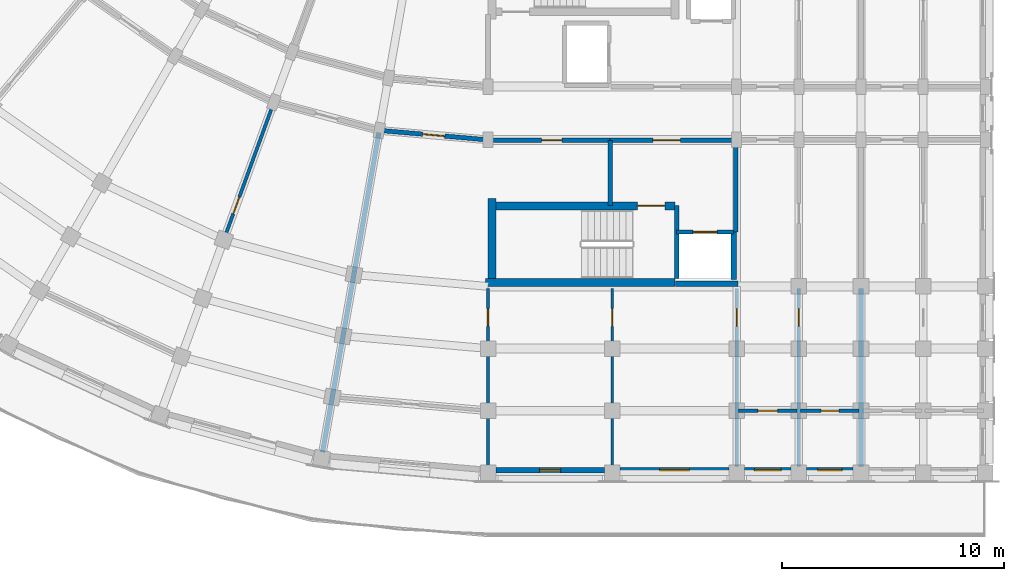
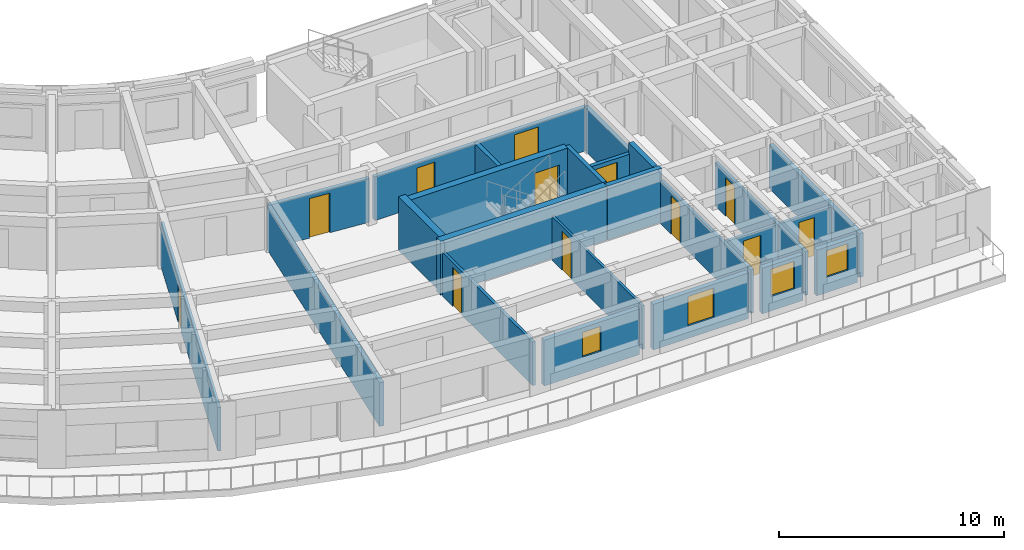
# One storey, part 18 of 57: 25 walls, 12 doors, 4 windows, 16 openings.
"""IFC4 building model written with IfcOpenShell, lengths in metres."""

from ifc_helpers import new_model, si_unit, direction, frame, frame_2d, origin, place, context, subcontext, project, spatial, rectangle, extrude, material, layer, layer_set, type_object, element, fill, save


model = new_model("IFC4")

# Units and contexts
model_context = context("Model", 3, precision=1e-05, world=origin(), true_north=direction((0.0, 1.0)))
body_context = subcontext(model_context, "Body", "Model", "MODEL_VIEW")
ifc_project = project(units=[si_unit("LENGTHUNIT", "METRE"), si_unit("AREAUNIT", "SQUARE_METRE"), si_unit("VOLUMEUNIT", "CUBIC_METRE"), si_unit("PLANEANGLEUNIT", "RADIAN"), si_unit("MASSUNIT", "GRAM", prefix="KILO")], contexts=[model_context])

# Site, building, storey
site_placement = place(None, origin())
site = spatial("IfcSite", under=ifc_project, at=site_placement, CompositionType="ELEMENT")
building_placement = place(site_placement, origin())
building = spatial("IfcBuilding", under=site, at=building_placement, Name="Kiranvali Square Residences", CompositionType="ELEMENT")
storey_placement = place(building_placement, frame((0.0, 0.0, 21.300048828125)))
storey = spatial("IfcBuildingStorey", under=building, at=storey_placement, Name="L06", CompositionType="ELEMENT", Elevation=21.300048828125)

# Wall, opening, door
ifc_material_1 = material(Name="Autoclaved aerated concrete blockwork masonry", Category="masonry")
ifc_layer_1 = layer(ifc_material_1, 0.199951171875)
ifc_layer_set_1 = layer_set([ifc_layer_1], Name="Autoclaved aerated concrete blockwork masonry")
wall_type_1 = type_object("IfcWallType", Name="WL-COR-200", PredefinedType="STANDARD", material=ifc_layer_set_1)
wall_1_placement = place(storey_placement, frame((48.199951171875, 20.0, 0.0), z_axis=(0.0, 0.0, 1.0), x_axis=(-0.996193663584, 0.087167566415, 0.0)))
wall_1 = element("IfcWall", 1, at=wall_1_placement, inside=storey, type_object=wall_type_1, Name="L06 architectural wall WL-L06-C-CCO-0", PredefinedType="STANDARD", context=body_context, shape_type="SweptSolid", body=[
    extrude(rectangle(XDim=4.91552734375, YDim=0.199951171875, at=frame_2d((2.457763671875, 0.0))), origin(), (0.0, 0.0, 1.0), 2.3720703125),
])
opening_1_placement = place(wall_1_placement, frame((1.957763671875, 0.0, 0.0)))
opening_1 = element("IfcOpeningElement", 2, at=opening_1_placement, cuts=wall_1, Name="Opening FD-APT-60", PredefinedType="OPENING", context=body_context, shape_type="SweptSolid", body=[
    extrude(rectangle(XDim=1.0, YDim=2.14990234375, at=frame_2d((0.5, 1.074951171875))), frame((0.0, 0.10986328125, 0.0), z_axis=(0.0, -1.0, 0.0), x_axis=(1.0, 0.0, 0.0)), (0.0, 0.0, 1.0), 0.219970703125),
])
ifc_material_2 = material(Name="Fire-rated acoustic hardwood and mineral-core door assembly", Category="wood")
door_type_1 = type_object("IfcDoorType", Name="DR-APT-1000", OperationType="NOTDEFINED", PredefinedType="DOOR", material=ifc_material_2)
door_1_placement = place(opening_1_placement, frame((1.0, 0.0, 0.0), z_axis=(0.0, 0.0, 1.0), x_axis=(-1.0, 0.0, 0.0)))
door_1 = element("IfcDoor", 3, at=door_1_placement, inside=storey, type_object=door_type_1, Name="L06 door DR-L06-2116 (DR-APT-1000)", OperationType="SINGLE_SWING_RIGHT", OverallHeight=2.14990234375, OverallWidth=1.0, PredefinedType="DOOR", context=body_context, shape_type="SweptSolid", body=[
    extrude(rectangle(XDim=1.0, YDim=2.14990234375, at=frame_2d((0.5, 1.074951171875))), frame((0.0, 0.02490234375, 0.0), z_axis=(0.0, -1.0, 0.0), x_axis=(1.0, 0.0, 0.0)), (0.0, 0.0, 1.0), 0.050048828125),
])
fill(opening_1, door_1)

# Walls
ifc_layer_2 = layer(ifc_material_1, 0.219970703125)
ifc_layer_set_2 = layer_set([ifc_layer_2], Name="Autoclaved aerated concrete blockwork masonry")
wall_type_2 = type_object("IfcWallType", Name="WL-DEM-220", PredefinedType="STANDARD", material=ifc_layer_set_2)
wall_2_placement = place(storey_placement, frame((65.0, 13.300048828125, 0.0), z_axis=(0.0, 0.0, 1.0), x_axis=(0.0, -1.0, 0.0)))
element("IfcWall", 4, at=wall_2_placement, inside=storey, type_object=wall_type_2, Name="L06 architectural wall WL-L06-C-A1TO2-2", PredefinedType="STANDARD", context=body_context, shape_type="SweptSolid", body=[
    extrude(rectangle(XDim=8.02001953125, YDim=0.219970703125, at=frame_2d((4.010009765625, 0.0))), origin(), (0.0, 0.0, 1.0), 2.3720703125),
])
wall_3_placement = place(storey_placement, frame((43.28564453125, 20.329833984375, 0.0), z_axis=(0.0, 0.0, 1.0), x_axis=(-0.173639577162, -0.984809269474, 0.0)))
element("IfcWall", 5, at=wall_3_placement, inside=storey, type_object=wall_type_2, Name="L06 architectural wall WL-L06-C-RADO-1", PredefinedType="STANDARD", context=body_context, shape_type="SweptSolid", body=[
    extrude(rectangle(XDim=14.619873046875, YDim=0.219970703125, at=frame_2d((7.31005859375, 0.0))), origin(), (0.0, 0.0, 1.0), 2.3720703125),
])

# Wall, opening, window
ifc_material_3 = material(Name="Breathable lime-rendered clay brick masonry", Category="masonry")
ifc_layer_3 = layer(ifc_material_3, 0.25)
ifc_layer_set_3 = layer_set([ifc_layer_3], Name="Breathable lime-rendered clay brick masonry")
wall_type_3 = type_object("IfcWallType", Name="WL-EXT-250", PredefinedType="STANDARD", material=ifc_layer_set_3)
wall_4_placement = place(storey_placement, frame((48.553466796875, 5.125, 0.0), z_axis=(0.0, 0.0, 1.0), x_axis=(1.0, 0.0, 0.0)))
wall_4 = element("IfcWall", 6, at=wall_4_placement, inside=storey, type_object=wall_type_3, Name="L06 exterior wall C-L06-A1O-0", PredefinedType="STANDARD", context=body_context, shape_type="SweptSolid", body=[
    extrude(rectangle(XDim=4.89306640625, YDim=0.25, at=frame_2d((2.446533203125, 0.0))), origin(), (0.0, 0.0, 1.0), 2.47998046875),
])
opening_2_placement = place(wall_4_placement, frame((1.971435546875, 0.0, 0.8798828125)))
opening_2 = element("IfcOpeningElement", 7, at=opening_2_placement, cuts=wall_4, Name="Opening W-16", PredefinedType="OPENING", context=body_context, shape_type="SweptSolid", body=[
    extrude(rectangle(XDim=0.949951171875, YDim=1.35009765625, at=frame_2d((0.47509765625, 0.675048828125))), frame((0.0, 0.135009765625, 0.0), z_axis=(0.0, -1.0, 0.0), x_axis=(1.0, 0.0, 0.0)), (0.0, 0.0, 1.0), 0.27001953125),
])
ifc_material_4 = material(Name="Solar-control low-e double glazing", Category="glass")
window_type_1 = type_object("IfcWindowType", Name="WIN-RES-950x1350", PartitioningType="SINGLE_PANEL", PredefinedType="WINDOW", material=ifc_material_4)
window_1_placement = place(opening_2_placement, origin())
window_1 = element("IfcWindow", 8, at=window_1_placement, inside=storey, type_object=window_type_1, Name="L06 recessed window C-L06-A1O-0", OverallHeight=1.35009765625, OverallWidth=0.949951171875, PartitioningType="SINGLE_PANEL", PredefinedType="WINDOW", context=body_context, shape_type="SweptSolid", body=[
    extrude(rectangle(XDim=0.949951171875, YDim=1.35009765625, at=frame_2d((0.47509765625, 0.675048828125))), frame((0.0, 0.030029296875, 0.0), z_axis=(0.0, -1.0, 0.0), x_axis=(1.0, 0.0, 0.0)), (0.0, 0.0, 1.0), 0.06005859375),
])
fill(opening_2, window_1)

wall_5_placement = place(storey_placement, frame((54.153564453125, 5.125, 0.0), z_axis=(0.0, 0.0, 1.0), x_axis=(1.0, 0.0, 0.0)))
wall_5 = element("IfcWall", 9, at=wall_5_placement, inside=storey, type_object=wall_type_3, Name="L06 exterior wall C-L06-A1O-1", PredefinedType="STANDARD", context=body_context, shape_type="SweptSolid", body=[
    extrude(rectangle(XDim=4.892822265625, YDim=0.25, at=frame_2d((2.4462890625, 0.0))), origin(), (0.0, 0.0, 1.0), 2.47998046875),
])
opening_3_placement = place(wall_5_placement, frame((1.771484375, 0.0, 0.679931640625)))
opening_3 = element("IfcOpeningElement", 10, at=opening_3_placement, cuts=wall_5, Name="Opening W-14", PredefinedType="OPENING", context=body_context, shape_type="SweptSolid", body=[
    extrude(rectangle(XDim=1.35009765625, YDim=1.60009765625, at=frame_2d((0.675048828125, 0.800048828125))), frame((0.0, 0.135009765625, 0.0), z_axis=(0.0, -1.0, 0.0), x_axis=(1.0, 0.0, 0.0)), (0.0, 0.0, 1.0), 0.27001953125),
])
window_type_2 = type_object("IfcWindowType", Name="WIN-RES-1350x1600", PartitioningType="DOUBLE_PANEL_VERTICAL", PredefinedType="WINDOW", material=ifc_material_4)
window_2_placement = place(opening_3_placement, origin())
window_2 = element("IfcWindow", 11, at=window_2_placement, inside=storey, type_object=window_type_2, Name="L06 recessed window C-L06-A1O-1", OverallHeight=1.60009765625, OverallWidth=1.35009765625, PartitioningType="DOUBLE_PANEL_VERTICAL", PredefinedType="WINDOW", context=body_context, shape_type="SweptSolid", body=[
    extrude(rectangle(XDim=1.35009765625, YDim=1.60009765625, at=frame_2d((0.675048828125, 0.800048828125))), frame((0.0, 0.030029296875, 0.0), z_axis=(0.0, -1.0, 0.0), x_axis=(1.0, 0.0, 0.0)), (0.0, 0.0, 1.0), 0.06005859375),
])
fill(opening_3, window_2)

wall_6_placement = place(storey_placement, frame((59.75341796875, 5.125, 0.0), z_axis=(0.0, 0.0, 1.0), x_axis=(1.0, 0.0, 0.0)))
wall_6 = element("IfcWall", 12, at=wall_6_placement, inside=storey, type_object=wall_type_3, Name="L06 exterior wall C-L06-A1O-2", PredefinedType="STANDARD", context=body_context, shape_type="SweptSolid", body=[
    extrude(rectangle(XDim=2.093017578125, YDim=0.25, at=frame_2d((1.04638671875, 0.0))), origin(), (0.0, 0.0, 1.0), 2.47998046875),
])
opening_4_placement = place(wall_6_placement, frame((0.446533203125, 0.0, 0.780029296875)))
opening_4 = element("IfcOpeningElement", 13, at=opening_4_placement, cuts=wall_6, Name="Opening W-06", PredefinedType="OPENING", context=body_context, shape_type="SweptSolid", body=[
    extrude(rectangle(XDim=1.199951171875, YDim=1.5, at=frame_2d((0.60009765625, 0.75))), frame((0.0, 0.135009765625, 0.0), z_axis=(0.0, -1.0, 0.0), x_axis=(1.0, 0.0, 0.0)), (0.0, 0.0, 1.0), 0.27001953125),
])
window_type_3 = type_object("IfcWindowType", Name="WIN-RES-1200x1500", PartitioningType="SINGLE_PANEL", PredefinedType="WINDOW", material=ifc_material_4)
window_3_placement = place(opening_4_placement, origin())
window_3 = element("IfcWindow", 14, at=window_3_placement, inside=storey, type_object=window_type_3, Name="L06 recessed window C-L06-A1O-2", OverallHeight=1.5, OverallWidth=1.199951171875, PartitioningType="SINGLE_PANEL", PredefinedType="WINDOW", context=body_context, shape_type="SweptSolid", body=[
    extrude(rectangle(XDim=1.199951171875, YDim=1.5, at=frame_2d((0.60009765625, 0.75))), frame((0.0, 0.030029296875, 0.0), z_axis=(0.0, -1.0, 0.0), x_axis=(1.0, 0.0, 0.0)), (0.0, 0.0, 1.0), 0.06005859375),
])
fill(opening_4, window_3)

wall_7_placement = place(storey_placement, frame((62.553466796875, 5.125, 0.0), z_axis=(0.0, 0.0, 1.0), x_axis=(1.0, 0.0, 0.0)))
wall_7 = element("IfcWall", 15, at=wall_7_placement, inside=storey, type_object=wall_type_3, Name="L06 exterior wall C-L06-A1O-3", PredefinedType="STANDARD", context=body_context, shape_type="SweptSolid", body=[
    extrude(rectangle(XDim=2.093017578125, YDim=0.25, at=frame_2d((1.04638671875, 0.0))), origin(), (0.0, 0.0, 1.0), 2.47998046875),
])
opening_5_placement = place(wall_7_placement, frame((0.49658203125, 0.0, 0.830078125)))
opening_5 = element("IfcOpeningElement", 16, at=opening_5_placement, cuts=wall_7, Name="Opening W-15", PredefinedType="OPENING", context=body_context, shape_type="SweptSolid", body=[
    extrude(rectangle(XDim=1.10009765625, YDim=1.449951171875, at=frame_2d((0.550048828125, 0.72509765625))), frame((0.0, 0.135009765625, 0.0), z_axis=(0.0, -1.0, 0.0), x_axis=(1.0, 0.0, 0.0)), (0.0, 0.0, 1.0), 0.27001953125),
])
window_type_4 = type_object("IfcWindowType", Name="WIN-RES-1100x1450", PartitioningType="SINGLE_PANEL", PredefinedType="WINDOW", material=ifc_material_4)
window_4_placement = place(opening_5_placement, origin())
window_4 = element("IfcWindow", 17, at=window_4_placement, inside=storey, type_object=window_type_4, Name="L06 recessed window C-L06-A1O-3", OverallHeight=1.449951171875, OverallWidth=1.10009765625, PartitioningType="SINGLE_PANEL", PredefinedType="WINDOW", context=body_context, shape_type="SweptSolid", body=[
    extrude(rectangle(XDim=1.10009765625, YDim=1.449951171875, at=frame_2d((0.550048828125, 0.72509765625))), frame((0.0, 0.030029296875, 0.0), z_axis=(0.0, -1.0, 0.0), x_axis=(1.0, 0.0, 0.0)), (0.0, 0.0, 1.0), 0.06005859375),
])
fill(opening_5, window_4)

# Wall, opening, door
ifc_layer_4 = layer(ifc_material_1, 0.199951171875)
ifc_layer_set_4 = layer_set([ifc_layer_4], Name="Autoclaved aerated concrete blockwork masonry")
wall_type_4 = type_object("IfcWallType", Name="WL-FFL-200", PredefinedType="STANDARD", material=ifc_layer_set_4)
wall_8_placement = place(storey_placement, frame((53.699951171875, 19.97998046875, 0.0), z_axis=(0.0, 0.0, 1.0), x_axis=(1.0, 0.0, 0.0)))
wall_8 = element("IfcWall", 18, at=wall_8_placement, inside=storey, type_object=wall_type_4, Name="L06 architectural wall WL-L06-C-FF-COR", PredefinedType="STANDARD", context=body_context, shape_type="SweptSolid", body=[
    extrude(rectangle(XDim=5.650146484375, YDim=0.199951171875, at=frame_2d((2.8251953125, 0.0))), origin(), (0.0, 0.0, 1.0), 2.3720703125),
])
opening_6_placement = place(wall_8_placement, frame((1.922607421875, 0.0, 0.0)))
opening_6 = element("IfcOpeningElement", 19, at=opening_6_placement, cuts=wall_8, Name="Opening FD-ST-120", PredefinedType="OPENING", context=body_context, shape_type="SweptSolid", body=[
    extrude(rectangle(XDim=1.239990234375, YDim=2.14990234375, at=frame_2d((0.6201171875, 1.074951171875))), frame((0.0, 0.10986328125, 0.0), z_axis=(0.0, -1.0, 0.0), x_axis=(1.0, 0.0, 0.0)), (0.0, 0.0, 1.0), 0.219970703125),
])
door_type_2 = type_object("IfcDoorType", Name="DR-FD120-1200", OperationType="NOTDEFINED", PredefinedType="DOOR", material=ifc_material_2)
door_2_placement = place(opening_6_placement, frame((1.239990234375, 0.0, 0.0), z_axis=(0.0, 0.0, 1.0), x_axis=(-1.0, 0.0, 0.0)))
door_2 = element("IfcDoor", 20, at=door_2_placement, inside=storey, type_object=door_type_2, Name="L06 door DR-L06-2084 (DR-FD120-1200)", OperationType="SINGLE_SWING_RIGHT", OverallHeight=2.14990234375, OverallWidth=1.239990234375, PredefinedType="DOOR", context=body_context, shape_type="SweptSolid", body=[
    extrude(rectangle(XDim=1.239990234375, YDim=2.14990234375, at=frame_2d((0.6201171875, 1.074951171875))), frame((0.0, 0.02490234375, 0.0), z_axis=(0.0, -1.0, 0.0), x_axis=(1.0, 0.0, 0.0)), (0.0, 0.0, 1.0), 0.050048828125),
])
fill(opening_6, door_2)

# Walls
wall_9_placement = place(storey_placement, frame((53.699951171875, 19.97998046875, 0.0), z_axis=(0.0, 0.0, 1.0), x_axis=(0.0, -1.0, 0.0)))
element("IfcWall", 21, at=wall_9_placement, inside=storey, type_object=wall_type_4, Name="L06 architectural wall WL-L06-C-FF-DIV", PredefinedType="STANDARD", context=body_context, shape_type="SweptSolid", body=[
    extrude(rectangle(XDim=2.929931640625, YDim=0.199951171875, at=frame_2d((1.46484375, 0.0))), origin(), (0.0, 0.0, 1.0), 2.3720703125),
])
wall_10_placement = place(storey_placement, frame((59.35009765625, 19.97998046875, 0.0), z_axis=(0.0, 0.0, 1.0), x_axis=(0.0, -1.0, 0.0)))
element("IfcWall", 22, at=wall_10_placement, inside=storey, type_object=wall_type_4, Name="L06 architectural wall WL-L06-C-FF-END", PredefinedType="STANDARD", context=body_context, shape_type="SweptSolid", body=[
    extrude(rectangle(XDim=4.1298828125, YDim=0.199951171875, at=frame_2d((2.06494140625, 0.0))), origin(), (0.0, 0.0, 1.0), 2.3720703125),
])

# Wall, opening, door
wall_11_placement = place(storey_placement, frame((56.699951171875, 15.85009765625, 0.0), z_axis=(0.0, 0.0, 1.0), x_axis=(1.0, 0.0, 0.0)))
wall_11 = element("IfcWall", 23, at=wall_11_placement, inside=storey, type_object=wall_type_4, Name="L06 architectural wall WL-L06-C-FF-LFT", PredefinedType="STANDARD", context=body_context, shape_type="SweptSolid", body=[
    extrude(rectangle(XDim=2.550048828125, YDim=0.199951171875, at=frame_2d((1.27490234375, 0.0))), origin(), (0.0, 0.0, 1.0), 2.3720703125),
])
opening_7_placement = place(wall_11_placement, frame((0.72509765625, 0.0, 0.0)))
opening_7 = element("IfcOpeningElement", 24, at=opening_7_placement, cuts=wall_11, Name="Opening LD-FF-110", PredefinedType="OPENING", context=body_context, shape_type="SweptSolid", body=[
    extrude(rectangle(XDim=1.10009765625, YDim=2.14990234375, at=frame_2d((0.550048828125, 1.074951171875))), frame((0.0, 0.10986328125, 0.0), z_axis=(0.0, -1.0, 0.0), x_axis=(1.0, 0.0, 0.0)), (0.0, 0.0, 1.0), 0.219970703125),
])
door_type_3 = type_object("IfcDoorType", Name="DR-LIFT-FF-1100", OperationType="SLIDING_TO_LEFT", PredefinedType="DOOR", material=ifc_material_2)
door_3_placement = place(opening_7_placement, origin())
door_3 = element("IfcDoor", 25, at=door_3_placement, inside=storey, type_object=door_type_3, Name="L06 door DR-L06-2086 (DR-LIFT-FF-1100)", OperationType="SLIDING_TO_LEFT", OverallHeight=2.14990234375, OverallWidth=1.10009765625, PredefinedType="DOOR", context=body_context, shape_type="SweptSolid", body=[
    extrude(rectangle(XDim=1.10009765625, YDim=2.14990234375, at=frame_2d((0.550048828125, 1.074951171875))), frame((0.0, 0.02490234375, 0.0), z_axis=(0.0, -1.0, 0.0), x_axis=(1.0, 0.0, 0.0)), (0.0, 0.0, 1.0), 0.050048828125),
])
fill(opening_7, door_3)

ifc_material_5 = material(Name="Acoustic gypsum board drylined partition", Category="gypsum")
ifc_layer_5 = layer(ifc_material_5, 0.125)
ifc_layer_set_5 = layer_set([ifc_layer_5], Name="Acoustic gypsum board drylined partition")
wall_type_5 = type_object("IfcWallType", Name="WL-PRT-125", PredefinedType="PARTITIONING", material=ifc_layer_set_5)
wall_12_placement = place(storey_placement, frame((53.800048828125, 13.300048828125, 0.0), z_axis=(0.0, 0.0, 1.0), x_axis=(0.0, -1.0, 0.0)))
wall_12 = element("IfcWall", 26, at=wall_12_placement, inside=storey, type_object=wall_type_5, Name="L06 architectural wall WL-L06-C-CF-MID", PredefinedType="PARTITIONING", context=body_context, shape_type="SweptSolid", body=[
    extrude(rectangle(XDim=8.02001953125, YDim=0.125, at=frame_2d((4.010009765625, 0.0))), origin(), (0.0, 0.0, 1.0), 2.3720703125),
])
opening_8_placement = place(wall_12_placement, frame((0.900146484375, 0.0, 0.0)))
opening_8 = element("IfcOpeningElement", 27, at=opening_8_placement, cuts=wall_12, Name="Opening ID-WET", PredefinedType="OPENING", context=body_context, shape_type="SweptSolid", body=[
    extrude(rectangle(XDim=0.800048828125, YDim=2.10009765625, at=frame_2d((0.39990234375, 1.050048828125))), frame((0.0, 0.072509765625, 0.0), z_axis=(0.0, -1.0, 0.0), x_axis=(1.0, 0.0, 0.0)), (0.0, 0.0, 1.0), 0.14501953125),
])
ifc_material_6 = material(Name="Solid seasoned teak hardwood joinery", Category="wood")
door_type_4 = type_object("IfcDoorType", Name="DR-WET-800", OperationType="NOTDEFINED", PredefinedType="DOOR", material=ifc_material_6)
door_4_placement = place(opening_8_placement, origin())
door_4 = element("IfcDoor", 28, at=door_4_placement, inside=storey, type_object=door_type_4, Name="L06 door DR-L06-2095 (DR-WET-800)", OperationType="SINGLE_SWING_LEFT", OverallHeight=2.10009765625, OverallWidth=0.800048828125, PredefinedType="DOOR", context=body_context, shape_type="SweptSolid", body=[
    extrude(rectangle(XDim=0.800048828125, YDim=2.10009765625, at=frame_2d((0.39990234375, 1.050048828125))), frame((0.0, 0.02490234375, 0.0), z_axis=(0.0, -1.0, 0.0), x_axis=(1.0, 0.0, 0.0)), (0.0, 0.0, 1.0), 0.050048828125),
])
fill(opening_8, door_4)

ifc_layer_6 = layer(ifc_material_5, 0.14990234375)
ifc_layer_set_6 = layer_set([ifc_layer_6], Name="Acoustic gypsum board drylined partition")
wall_type_6 = type_object("IfcWallType", Name="WL-PRT-150", PredefinedType="PARTITIONING", material=ifc_layer_set_6)
wall_13_placement = place(storey_placement, frame((59.39990234375, 13.300048828125, 0.0), z_axis=(0.0, 0.0, 1.0), x_axis=(0.0, -1.0, 0.0)))
wall_13 = element("IfcWall", 29, at=wall_13_placement, inside=storey, type_object=wall_type_6, Name="L06 architectural wall WL-L06-C-A1TO2-0", PredefinedType="PARTITIONING", context=body_context, shape_type="SweptSolid", body=[
    extrude(rectangle(XDim=8.02001953125, YDim=0.14990234375, at=frame_2d((4.010009765625, 0.0))), origin(), (0.0, 0.0, 1.0), 2.3720703125),
])
opening_9_placement = place(wall_13_placement, frame((0.900146484375, 0.0, 0.0)))
opening_9 = element("IfcOpeningElement", 30, at=opening_9_placement, cuts=wall_13, Name="Opening ID-WET", PredefinedType="OPENING", context=body_context, shape_type="SweptSolid", body=[
    extrude(rectangle(XDim=0.800048828125, YDim=2.10009765625, at=frame_2d((0.39990234375, 1.050048828125))), frame((0.0, 0.0849609375, 0.0), z_axis=(0.0, -1.0, 0.0), x_axis=(1.0, 0.0, 0.0)), (0.0, 0.0, 1.0), 0.169921875),
])
door_5_placement = place(opening_9_placement, frame((0.800048828125, 0.0, 0.0), z_axis=(0.0, 0.0, 1.0), x_axis=(-1.0, 0.0, 0.0)))
door_5 = element("IfcDoor", 31, at=door_5_placement, inside=storey, type_object=door_type_4, Name="L06 door DR-L06-2104 (DR-WET-800)", OperationType="SINGLE_SWING_RIGHT", OverallHeight=2.10009765625, OverallWidth=0.800048828125, PredefinedType="DOOR", context=body_context, shape_type="SweptSolid", body=[
    extrude(rectangle(XDim=0.800048828125, YDim=2.10009765625, at=frame_2d((0.39990234375, 1.050048828125))), frame((0.0, 0.02490234375, 0.0), z_axis=(0.0, -1.0, 0.0), x_axis=(1.0, 0.0, 0.0)), (0.0, 0.0, 1.0), 0.050048828125),
])
fill(opening_9, door_5)

wall_14_placement = place(storey_placement, frame((62.199951171875, 13.300048828125, 0.0), z_axis=(0.0, 0.0, 1.0), x_axis=(0.0, -1.0, 0.0)))
wall_14 = element("IfcWall", 32, at=wall_14_placement, inside=storey, type_object=wall_type_6, Name="L06 architectural wall WL-L06-C-A1TO2-1", PredefinedType="PARTITIONING", context=body_context, shape_type="SweptSolid", body=[
    extrude(rectangle(XDim=8.02001953125, YDim=0.14990234375, at=frame_2d((4.010009765625, 0.0))), origin(), (0.0, 0.0, 1.0), 2.3720703125),
])
opening_10_placement = place(wall_14_placement, frame((0.900146484375, 0.0, 0.0)))
opening_10 = element("IfcOpeningElement", 33, at=opening_10_placement, cuts=wall_14, Name="Opening ID-WET", PredefinedType="OPENING", context=body_context, shape_type="SweptSolid", body=[
    extrude(rectangle(XDim=0.800048828125, YDim=2.10009765625, at=frame_2d((0.39990234375, 1.050048828125))), frame((0.0, 0.0849609375, 0.0), z_axis=(0.0, -1.0, 0.0), x_axis=(1.0, 0.0, 0.0)), (0.0, 0.0, 1.0), 0.169921875),
])
door_6_placement = place(opening_10_placement, origin())
door_6 = element("IfcDoor", 34, at=door_6_placement, inside=storey, type_object=door_type_4, Name="L06 door DR-L06-2107 (DR-WET-800)", OperationType="SINGLE_SWING_LEFT", OverallHeight=2.10009765625, OverallWidth=0.800048828125, PredefinedType="DOOR", context=body_context, shape_type="SweptSolid", body=[
    extrude(rectangle(XDim=0.800048828125, YDim=2.10009765625, at=frame_2d((0.39990234375, 1.050048828125))), frame((0.0, 0.02490234375, 0.0), z_axis=(0.0, -1.0, 0.0), x_axis=(1.0, 0.0, 0.0)), (0.0, 0.0, 1.0), 0.050048828125),
])
fill(opening_10, door_6)

wall_15_placement = place(storey_placement, frame((48.199951171875, 13.300048828125, 0.0), z_axis=(0.0, 0.0, 1.0), x_axis=(0.0, -1.0, 0.0)))
wall_15 = element("IfcWall", 35, at=wall_15_placement, inside=storey, type_object=wall_type_6, Name="L06 architectural wall WL-L06-C-RADO-0", PredefinedType="PARTITIONING", context=body_context, shape_type="SweptSolid", body=[
    extrude(rectangle(XDim=8.02001953125, YDim=0.14990234375, at=frame_2d((4.010009765625, 0.0))), origin(), (0.0, 0.0, 1.0), 2.3720703125),
])
opening_11_placement = place(wall_15_placement, frame((0.900146484375, 0.0, 0.0)))
opening_11 = element("IfcOpeningElement", 36, at=opening_11_placement, cuts=wall_15, Name="Opening ID-WET", PredefinedType="OPENING", context=body_context, shape_type="SweptSolid", body=[
    extrude(rectangle(XDim=0.800048828125, YDim=2.10009765625, at=frame_2d((0.39990234375, 1.050048828125))), frame((0.0, 0.0849609375, 0.0), z_axis=(0.0, -1.0, 0.0), x_axis=(1.0, 0.0, 0.0)), (0.0, 0.0, 1.0), 0.169921875),
])
door_7_placement = place(opening_11_placement, origin())
door_7 = element("IfcDoor", 37, at=door_7_placement, inside=storey, type_object=door_type_4, Name="L06 door DR-L06-2111 (DR-WET-800)", OperationType="SINGLE_SWING_LEFT", OverallHeight=2.10009765625, OverallWidth=0.800048828125, PredefinedType="DOOR", context=body_context, shape_type="SweptSolid", body=[
    extrude(rectangle(XDim=0.800048828125, YDim=2.10009765625, at=frame_2d((0.39990234375, 1.050048828125))), frame((0.0, 0.02490234375, 0.0), z_axis=(0.0, -1.0, 0.0), x_axis=(1.0, 0.0, 0.0)), (0.0, 0.0, 1.0), 0.050048828125),
])
fill(opening_11, door_7)

wall_16_placement = place(storey_placement, frame((38.520751953125, 21.606689453125, 0.0), z_axis=(0.0, 0.0, 1.0), x_axis=(-0.342015232663, -0.939694408106, 0.0)))
wall_16 = element("IfcWall", 38, at=wall_16_placement, inside=storey, type_object=wall_type_6, Name="L06 architectural wall WL-L06-C-RADO-2", PredefinedType="PARTITIONING", context=body_context, shape_type="SweptSolid", body=[
    extrude(rectangle(XDim=14.619873046875, YDim=0.14990234375, at=frame_2d((7.31005859375, 0.0))), origin(), (0.0, 0.0, 1.0), 2.3720703125),
])
opening_12_placement = place(wall_16_placement, frame((4.449462890625, 0.0, 0.0)))
opening_12 = element("IfcOpeningElement", 39, at=opening_12_placement, cuts=wall_16, Name="Opening ID-WET", PredefinedType="OPENING", context=body_context, shape_type="SweptSolid", body=[
    extrude(rectangle(XDim=0.800048828125, YDim=2.10009765625, at=frame_2d((0.39990234375, 1.050048828125))), frame((0.0, 0.0849609375, 0.0), z_axis=(0.0, -1.0, 0.0), x_axis=(1.0, 0.0, 0.0)), (0.0, 0.0, 1.0), 0.169921875),
])
door_8_placement = place(opening_12_placement, frame((0.800048828125, 0.0, 0.0), z_axis=(0.0, 0.0, 1.0), x_axis=(-1.0, 0.0, 0.0)))
door_8 = element("IfcDoor", 40, at=door_8_placement, inside=storey, type_object=door_type_4, Name="L06 door DR-L06-2112 (DR-WET-800)", OperationType="SINGLE_SWING_RIGHT", OverallHeight=2.10009765625, OverallWidth=0.800048828125, PredefinedType="DOOR", context=body_context, shape_type="SweptSolid", body=[
    extrude(rectangle(XDim=0.800048828125, YDim=2.10009765625, at=frame_2d((0.39990234375, 1.050048828125))), frame((0.0, 0.02490234375, 0.0), z_axis=(0.0, -1.0, 0.0), x_axis=(1.0, 0.0, 0.0)), (0.0, 0.0, 1.0), 0.050048828125),
])
fill(opening_12, door_8)

ifc_layer_7 = layer(ifc_material_1, 0.199951171875)
ifc_layer_set_7 = layer_set([ifc_layer_7], Name="Autoclaved aerated concrete blockwork masonry")
wall_type_7 = type_object("IfcWallType", Name="WL-SHF-200", PredefinedType="STANDARD", material=ifc_layer_set_7)
wall_17_placement = place(storey_placement, frame((48.449951171875, 19.97998046875, 0.0), z_axis=(0.0, 0.0, 1.0), x_axis=(1.0, 0.0, 0.0)))
wall_17 = element("IfcWall", 41, at=wall_17_placement, inside=storey, type_object=wall_type_7, Name="L06 architectural wall WL-L06-C-RSR-COR", PredefinedType="STANDARD", context=body_context, shape_type="SweptSolid", body=[
    extrude(rectangle(XDim=5.25, YDim=0.199951171875, at=frame_2d((2.625, 0.0))), origin(), (0.0, 0.0, 1.0), 2.3720703125),
])
opening_13_placement = place(wall_17_placement, frame((2.1650390625, 0.0, 0.0)))
opening_13 = element("IfcOpeningElement", 42, at=opening_13_placement, cuts=wall_17, Name="Opening FD-SVC-120", PredefinedType="OPENING", context=body_context, shape_type="SweptSolid", body=[
    extrude(rectangle(XDim=0.919921875, YDim=2.10009765625, at=frame_2d((0.4599609375, 1.050048828125))), frame((0.0, 0.10986328125, 0.0), z_axis=(0.0, -1.0, 0.0), x_axis=(1.0, 0.0, 0.0)), (0.0, 0.0, 1.0), 0.219970703125),
])
door_type_5 = type_object("IfcDoorType", Name="DR-SVC-900", OperationType="NOTDEFINED", PredefinedType="DOOR", material=ifc_material_2)
door_9_placement = place(opening_13_placement, origin())
door_9 = element("IfcDoor", 43, at=door_9_placement, inside=storey, type_object=door_type_5, Name="L06 door DR-L06-2085 (DR-SVC-900)", OperationType="SINGLE_SWING_LEFT", OverallHeight=2.10009765625, OverallWidth=0.919921875, PredefinedType="DOOR", context=body_context, shape_type="SweptSolid", body=[
    extrude(rectangle(XDim=0.919921875, YDim=2.10009765625, at=frame_2d((0.4599609375, 1.050048828125))), frame((0.0, 0.02490234375, 0.0), z_axis=(0.0, -1.0, 0.0), x_axis=(1.0, 0.0, 0.0)), (0.0, 0.0, 1.0), 0.050048828125),
])
fill(opening_13, door_9)

# Walls
wall_18_placement = place(storey_placement, frame((56.699951171875, 17.050048828125, 0.0), z_axis=(0.0, 0.0, 1.0), x_axis=(0.0, -1.0, 0.0)))
element("IfcWall", 44, at=wall_18_placement, inside=storey, type_object=wall_type_7, Name="L06 architectural wall WL-L06-C-FF-SHF", PredefinedType="STANDARD", context=body_context, shape_type="SweptSolid", body=[
    extrude(rectangle(XDim=3.300048828125, YDim=0.199951171875, at=frame_2d((1.64990234375, 0.0))), origin(), (0.0, 0.0, 1.0), 2.929931640625),
])
ifc_material_7 = material(Name="Concrete M45 (45 MPa)", Category="concrete")
ifc_layer_8 = layer(ifc_material_7, 0.25)
ifc_layer_set_8 = layer_set([ifc_layer_8], Name="Concrete M45 (45 MPa)")
wall_type_8 = type_object("IfcWallType", Name="WL-SHR-250", PredefinedType="SHEAR", material=ifc_layer_set_8)
wall_19_placement = place(storey_placement, frame((56.64990234375, 13.52490234375, 0.0), z_axis=(0.0, 0.0, 1.0), x_axis=(1.0, 0.0, 0.0)))
element("IfcWall", 45, at=wall_19_placement, inside=storey, type_object=wall_type_8, Name="Block C core shear wall SW-CFF-BK-L06", PredefinedType="SHEAR", context=body_context, shape_type="SweptSolid", body=[
    extrude(rectangle(XDim=2.800048828125, YDim=0.25, at=frame_2d((1.39990234375, 0.0))), origin(), (0.0, 0.0, 1.0), 2.929931640625),
])
wall_20_placement = place(storey_placement, frame((59.27490234375, 15.85009765625, 0.0), z_axis=(0.0, 0.0, 1.0), x_axis=(0.0, -1.0, 0.0)))
element("IfcWall", 46, at=wall_20_placement, inside=storey, type_object=wall_type_8, Name="Block C core shear wall SW-CFF-SD-L06", PredefinedType="SHEAR", context=body_context, shape_type="SweptSolid", body=[
    extrude(rectangle(XDim=2.150146484375, YDim=0.25, at=frame_2d((1.0751953125, 0.0))), origin(), (0.0, 0.0, 1.0), 2.929931640625),
])
ifc_layer_9 = layer(ifc_material_7, 0.320068359375)
ifc_layer_set_9 = layer_set([ifc_layer_9], Name="Concrete M45 (45 MPa)")
wall_type_9 = type_object("IfcWallType", Name="WL-SHR-320", PredefinedType="SHEAR", material=ifc_layer_set_9)
wall_21_placement = place(storey_placement, frame((48.080078125, 13.574951171875, 0.0), z_axis=(0.0, 0.0, 1.0), x_axis=(1.0, 0.0, 0.0)))
element("IfcWall", 47, at=wall_21_placement, inside=storey, type_object=wall_type_9, Name="Block C core shear wall SW-C1-OUT-L06", PredefinedType="SHEAR", context=body_context, shape_type="SweptSolid", body=[
    extrude(rectangle(XDim=8.544921875, YDim=0.35009765625, at=frame_2d((4.2724609375, 0.0))), origin(), (0.0, 0.0, 1.0), 2.929931640625),
])

# Wall, opening, door
wall_22_placement = place(storey_placement, frame((48.550048828125, 17.02490234375, 0.0), z_axis=(0.0, 0.0, 1.0), x_axis=(1.0, 0.0, 0.0)))
wall_22 = element("IfcWall", 48, at=wall_22_placement, inside=storey, type_object=wall_type_9, Name="Block C core shear wall SW-C1-IN-L06", PredefinedType="SHEAR", context=body_context, shape_type="SweptSolid", body=[
    extrude(rectangle(XDim=8.074951171875, YDim=0.35009765625, at=frame_2d((4.03759765625, 0.0))), origin(), (0.0, 0.0, 1.0), 2.929931640625),
])
opening_14_placement = place(wall_22_placement, frame((6.3798828125, 0.0, 0.0)))
opening_14 = element("IfcOpeningElement", 49, at=opening_14_placement, cuts=wall_22, Name="Opening FD-ST-120", PredefinedType="OPENING", context=body_context, shape_type="SweptSolid", body=[
    extrude(rectangle(XDim=1.239990234375, YDim=2.14990234375, at=frame_2d((0.6201171875, 1.074951171875))), frame((0.0, 0.18505859375, 0.0), z_axis=(0.0, -1.0, 0.0), x_axis=(1.0, 0.0, 0.0)), (0.0, 0.0, 1.0), 0.3701171875),
])
door_10_placement = place(opening_14_placement, frame((1.239990234375, 0.0, 0.0), z_axis=(0.0, 0.0, 1.0), x_axis=(-1.0, 0.0, 0.0)))
door_10 = element("IfcDoor", 50, at=door_10_placement, inside=storey, type_object=door_type_2, Name="L06 door DR-L06-2087 (DR-FD120-1200)", OperationType="SINGLE_SWING_LEFT", OverallHeight=2.14990234375, OverallWidth=1.239990234375, PredefinedType="DOOR", context=body_context, shape_type="SweptSolid", body=[
    extrude(rectangle(XDim=1.239990234375, YDim=2.14990234375, at=frame_2d((0.6201171875, 1.074951171875))), frame((0.0, 0.02490234375, 0.0), z_axis=(0.0, -1.0, 0.0), x_axis=(1.0, 0.0, 0.0)), (0.0, 0.0, 1.0), 0.050048828125),
])
fill(opening_14, door_10)

# Wall
wall_23_placement = place(storey_placement, frame((48.375, 17.35009765625, 0.0), z_axis=(0.0, 0.0, 1.0), x_axis=(0.0, -1.0, 0.0)))
element("IfcWall", 51, at=wall_23_placement, inside=storey, type_object=wall_type_9, Name="Block C core shear wall SW-C1-FAR-L06", PredefinedType="SHEAR", context=body_context, shape_type="SweptSolid", body=[
    extrude(rectangle(XDim=3.60009765625, YDim=0.35009765625, at=frame_2d((1.800048828125, 0.0))), origin(), (0.0, 0.0, 1.0), 2.929931640625),
])

# Wall, opening, door
ifc_layer_10 = layer(ifc_material_1, 0.159912109375)
ifc_layer_set_10 = layer_set([ifc_layer_10], Name="Autoclaved aerated concrete blockwork masonry")
wall_type_10 = type_object("IfcWallType", Name="WL-WET-160", PredefinedType="PLUMBINGWALL", material=ifc_layer_set_10)
wall_24_placement = place(storey_placement, frame((59.47998046875, 7.800048828125, 0.0), z_axis=(0.0, 0.0, 1.0), x_axis=(1.0, 0.0, 0.0)))
wall_24 = element("IfcWall", 52, at=wall_24_placement, inside=storey, type_object=wall_type_10, Name="L06 architectural wall WL-L06-C-A1SP-0", PredefinedType="PLUMBINGWALL", context=body_context, shape_type="SweptSolid", body=[
    extrude(rectangle(XDim=2.64013671875, YDim=0.159912109375, at=frame_2d((1.320068359375, 0.0))), origin(), (0.0, 0.0, 1.0), 2.3720703125),
])
opening_15_placement = place(wall_24_placement, frame((0.8701171875, 0.0, 0.0)))
opening_15 = element("IfcOpeningElement", 53, at=opening_15_placement, cuts=wall_24, Name="Opening ID-1", PredefinedType="OPENING", context=body_context, shape_type="SweptSolid", body=[
    extrude(rectangle(XDim=0.89990234375, YDim=2.10009765625, at=frame_2d((0.449951171875, 1.050048828125))), frame((0.0, 0.08984375, 0.0), z_axis=(0.0, -1.0, 0.0), x_axis=(1.0, 0.0, 0.0)), (0.0, 0.0, 1.0), 0.179931640625),
])
door_type_6 = type_object("IfcDoorType", Name="DR-INT-900", OperationType="NOTDEFINED", PredefinedType="DOOR", material=ifc_material_6)
door_11_placement = place(opening_15_placement, origin())
door_11 = element("IfcDoor", 54, at=door_11_placement, inside=storey, type_object=door_type_6, Name="L06 door DR-L06-2097 (DR-INT-900)", OperationType="SINGLE_SWING_LEFT", OverallHeight=2.10009765625, OverallWidth=0.89990234375, PredefinedType="DOOR", context=body_context, shape_type="SweptSolid", body=[
    extrude(rectangle(XDim=0.89990234375, YDim=2.10009765625, at=frame_2d((0.449951171875, 1.050048828125))), frame((0.0, 0.02490234375, 0.0), z_axis=(0.0, -1.0, 0.0), x_axis=(1.0, 0.0, 0.0)), (0.0, 0.0, 1.0), 0.050048828125),
])
fill(opening_15, door_11)

wall_25_placement = place(storey_placement, frame((62.280029296875, 7.800048828125, 0.0), z_axis=(0.0, 0.0, 1.0), x_axis=(1.0, 0.0, 0.0)))
wall_25 = element("IfcWall", 55, at=wall_25_placement, inside=storey, type_object=wall_type_10, Name="L06 architectural wall WL-L06-C-A1SP-1", PredefinedType="PLUMBINGWALL", context=body_context, shape_type="SweptSolid", body=[
    extrude(rectangle(XDim=2.639892578125, YDim=0.159912109375, at=frame_2d((1.31982421875, 0.0))), origin(), (0.0, 0.0, 1.0), 2.3720703125),
])
opening_16_placement = place(wall_25_placement, frame((0.919921875, 0.0, 0.0)))
opening_16 = element("IfcOpeningElement", 56, at=opening_16_placement, cuts=wall_25, Name="Opening ID-WET", PredefinedType="OPENING", context=body_context, shape_type="SweptSolid", body=[
    extrude(rectangle(XDim=0.800048828125, YDim=2.10009765625, at=frame_2d((0.39990234375, 1.050048828125))), frame((0.0, 0.08984375, 0.0), z_axis=(0.0, -1.0, 0.0), x_axis=(1.0, 0.0, 0.0)), (0.0, 0.0, 1.0), 0.179931640625),
])
door_12_placement = place(opening_16_placement, origin())
door_12 = element("IfcDoor", 57, at=door_12_placement, inside=storey, type_object=door_type_4, Name="L06 door DR-L06-2099 (DR-WET-800)", OperationType="SINGLE_SWING_LEFT", OverallHeight=2.10009765625, OverallWidth=0.800048828125, PredefinedType="DOOR", context=body_context, shape_type="SweptSolid", body=[
    extrude(rectangle(XDim=0.800048828125, YDim=2.10009765625, at=frame_2d((0.39990234375, 1.050048828125))), frame((0.0, 0.02490234375, 0.0), z_axis=(0.0, -1.0, 0.0), x_axis=(1.0, 0.0, 0.0)), (0.0, 0.0, 1.0), 0.050048828125),
])
fill(opening_16, door_12)

save(model, "model.ifc")
